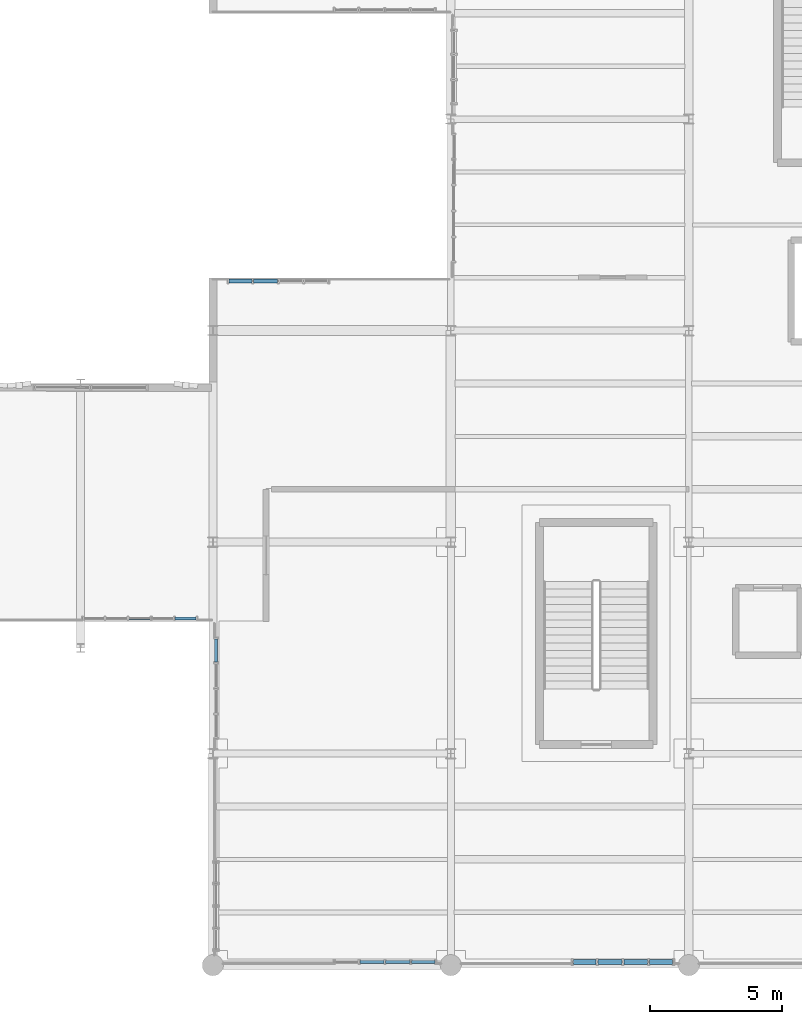
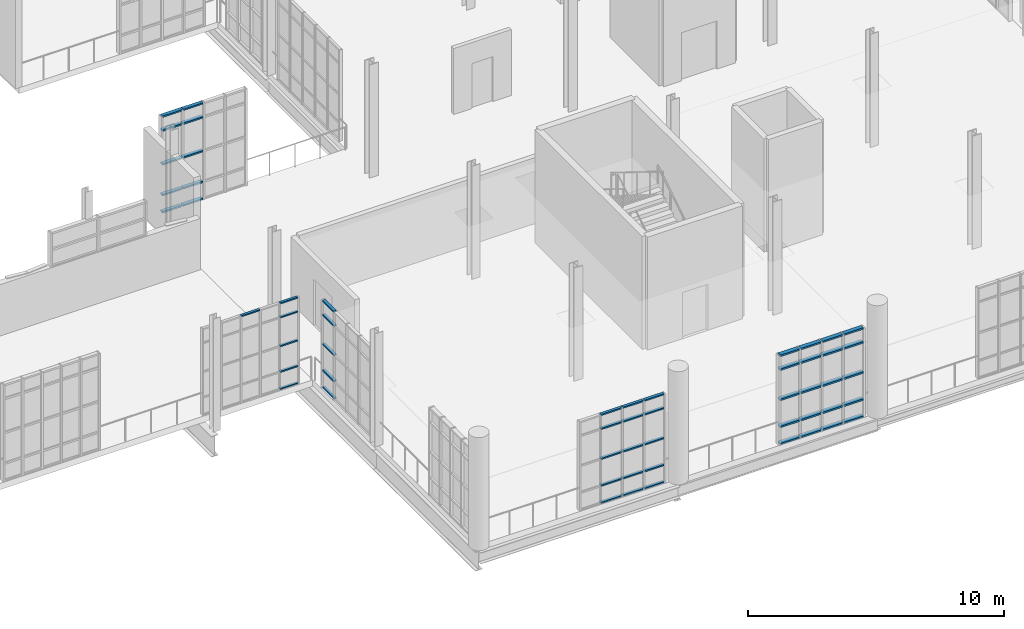
# One storey, part 89 of 142: 56 members, 5 elements without a shape of their own.
"""IFC4 building model written with IfcOpenShell, lengths in metres."""

from ifc_helpers import new_model, si_unit, direction, frame, origin, origin_2d, place, context, subcontext, project, spatial, hollow_rectangle, extrude, material, layer, layer_set, material_profile, profile_set, type_object, element, aggregate, save


model = new_model("IFC4")

# Units and contexts
model_context = context("Model", 3, precision=1e-05, world=origin(), true_north=direction((0.0, 1.0)))
body_context = subcontext(model_context, "Body", "Model", "MODEL_VIEW")
ifc_project = project(units=[si_unit("LENGTHUNIT", "METRE"), si_unit("AREAUNIT", "SQUARE_METRE"), si_unit("VOLUMEUNIT", "CUBIC_METRE"), si_unit("PLANEANGLEUNIT", "RADIAN"), si_unit("MASSUNIT", "GRAM", prefix="KILO"), si_unit("THERMODYNAMICTEMPERATUREUNIT", "KELVIN"), si_unit("POWERUNIT", "WATT")], contexts=[model_context])

# Site, building, storey
site_placement = place(None, origin())
site = spatial("IfcSite", under=ifc_project, at=site_placement, CompositionType="ELEMENT")
building_placement = place(site_placement, origin())
building = spatial("IfcBuilding", under=site, at=building_placement, Name="Zelmaris Science Centre", CompositionType="ELEMENT")
storey_placement = place(building_placement, frame((0.0, 0.0, 5.39990234375)))
storey = spatial("IfcBuildingStorey", under=building, at=storey_placement, Name="L01", CompositionType="ELEMENT", Elevation=5.39990234375)

# Curtain wall, members
ifc_material = material(Name="Anodised architectural aluminium 6063-T6", Category="aluminium")
ifc_layer_1 = layer(ifc_material, 0.219970703125, Name="Anodised architectural aluminium 6063-T6")
ifc_layer_set_1 = layer_set([ifc_layer_1], Name="Anodised architectural aluminium 6063-T6")
curtain_wall_type_1 = type_object("IfcCurtainWallType", Name="Curtain Wall CW-04", PredefinedType="USERDEFINED", material=ifc_layer_set_1)
curtain_wall_1_placement = place(storey_placement, origin())
curtain_wall_1 = element("IfcCurtainWall", 1, at=curtain_wall_1_placement, inside=storey, type_object=curtain_wall_type_1, Name="L01 Unitised curtain wall 172", ObjectType="GLAZED CURTAIN WALL", PredefinedType="USERDEFINED")
ifc_material_profile_1 = material_profile(ifc_material, hollow_rectangle(XDim=0.06005859375, YDim=0.110107421875, WallThickness=0.0029296875, at=origin_2d()), Name="ALU-TRN-60X110")
ifc_profile_set_1 = profile_set([ifc_material_profile_1], Name="Anodised architectural aluminium 6063-T6")
member_type_1 = type_object("IfcMemberType", Name="ALU-TRN-60X110", PredefinedType="USERDEFINED", material=ifc_profile_set_1)
member_1_placement = place(storey_placement, frame((107.37109375, 21.11572265625, 0.010986328125), z_axis=(-0.99999995324, 0.000305810383, 0.0), x_axis=(0.0, 0.0, 1.0)))
member_1 = element("IfcMember", 2, at=member_1_placement, type_object=member_type_1, Name="CW-04 transom 1.1", ObjectType="TRANSOM", PredefinedType="USERDEFINED", context=body_context, shape_type="SweptSolid", body=[
    extrude(hollow_rectangle(XDim=0.06005859375, YDim=0.110107421875, WallThickness=0.0029296875, at=origin_2d()), origin(), (0.0, 0.0, 1.0), 0.79833984375),
])
member_2_placement = place(storey_placement, frame((107.37109375, 21.11572265625, 0.835205078125), z_axis=(-0.99999995324, 0.000305810383, 0.0), x_axis=(0.0, 0.0, 1.0)))
member_2 = element("IfcMember", 3, at=member_2_placement, type_object=member_type_1, Name="CW-04 transom 1.2", ObjectType="TRANSOM", PredefinedType="USERDEFINED", context=body_context, shape_type="SweptSolid", body=[
    extrude(hollow_rectangle(XDim=0.06005859375, YDim=0.110107421875, WallThickness=0.0029296875, at=origin_2d()), origin(), (0.0, 0.0, 1.0), 0.79833984375),
])
member_3_placement = place(storey_placement, frame((107.37109375, 21.11572265625, 2.05908203125), z_axis=(-0.99999995324, 0.000305810383, 0.0), x_axis=(0.0, 0.0, 1.0)))
member_3 = element("IfcMember", 4, at=member_3_placement, type_object=member_type_1, Name="CW-04 transom 1.3", ObjectType="TRANSOM", PredefinedType="USERDEFINED", context=body_context, shape_type="SweptSolid", body=[
    extrude(hollow_rectangle(XDim=0.06005859375, YDim=0.110107421875, WallThickness=0.0029296875, at=origin_2d()), origin(), (0.0, 0.0, 1.0), 0.79833984375),
])
member_4_placement = place(storey_placement, frame((107.37109375, 21.11572265625, 3.43310546875), z_axis=(-0.99999995324, 0.000305810383, 0.0), x_axis=(0.0, 0.0, 1.0)))
member_4 = element("IfcMember", 5, at=member_4_placement, type_object=member_type_1, Name="CW-04 transom 1.4", ObjectType="TRANSOM", PredefinedType="USERDEFINED", context=body_context, shape_type="SweptSolid", body=[
    extrude(hollow_rectangle(XDim=0.06005859375, YDim=0.110107421875, WallThickness=0.0029296875, at=origin_2d()), origin(), (0.0, 0.0, 1.0), 0.79833984375),
])
member_5_placement = place(storey_placement, frame((107.37109375, 21.11572265625, 4.107177734375), z_axis=(-0.99999995324, 0.000305810383, 0.0), x_axis=(0.0, 0.0, 1.0)))
member_5 = element("IfcMember", 6, at=member_5_placement, type_object=member_type_1, Name="CW-04 transom 1.5", ObjectType="TRANSOM", PredefinedType="USERDEFINED", context=body_context, shape_type="SweptSolid", body=[
    extrude(hollow_rectangle(XDim=0.06005859375, YDim=0.110107421875, WallThickness=0.0029296875, at=origin_2d()), origin(), (0.0, 0.0, 1.0), 0.79833984375),
])
member_6_placement = place(storey_placement, frame((105.64453125, 21.1162109375, 4.107177734375), z_axis=(-0.99999995613, 0.000296208518, 0.0), x_axis=(0.0, 0.0, 1.0)))
member_6 = element("IfcMember", 7, at=member_6_placement, type_object=member_type_1, Name="CW-04 transom 3.5", ObjectType="TRANSOM", PredefinedType="USERDEFINED", context=body_context, shape_type="SweptSolid", body=[
    extrude(hollow_rectangle(XDim=0.06005859375, YDim=0.110107421875, WallThickness=0.0029296875, at=origin_2d()), origin(), (0.0, 0.0, 1.0), 0.82421875),
])
aggregate(curtain_wall_1, [member_1, member_2, member_3, member_4, member_5, member_6])

ifc_layer_2 = layer(ifc_material, 0.2099609375, Name="Anodised architectural aluminium 6063-T6")
ifc_layer_set_2 = layer_set([ifc_layer_2], Name="Anodised architectural aluminium 6063-T6")
curtain_wall_type_2 = type_object("IfcCurtainWallType", Name="Curtain Wall CW-03", PredefinedType="USERDEFINED", material=ifc_layer_set_2)
curtain_wall_2_placement = place(storey_placement, origin())
curtain_wall_2 = element("IfcCurtainWall", 8, at=curtain_wall_2_placement, inside=storey, type_object=curtain_wall_type_2, Name="L01 Unitised curtain wall 167", ObjectType="GLAZED CURTAIN WALL", PredefinedType="USERDEFINED")
ifc_material_profile_2 = material_profile(ifc_material, hollow_rectangle(XDim=0.06494140625, YDim=0.1298828125, WallThickness=0.00341796875, at=origin_2d()), Name="ALU-TRN-65X130")
ifc_profile_set_2 = profile_set([ifc_material_profile_2], Name="Anodised architectural aluminium 6063-T6")
member_type_2 = type_object("IfcMemberType", Name="ALU-TRN-65X130", PredefinedType="USERDEFINED", material=ifc_profile_set_2)
member_7_placement = place(storey_placement, frame((116.403076171875, 8.1201171875, 0.013671875), z_axis=(-1.0, 0.0, 0.0), x_axis=(0.0, 0.0, 1.0)))
member_7 = element("IfcMember", 9, at=member_7_placement, type_object=member_type_2, Name="CW-03 transom 1.1", ObjectType="TRANSOM", PredefinedType="USERDEFINED", context=body_context, shape_type="SweptSolid", body=[
    extrude(hollow_rectangle(XDim=0.06494140625, YDim=0.1298828125, WallThickness=0.00341796875, at=origin_2d()), origin(), (0.0, 0.0, 1.0), 0.8896484375),
])
member_8_placement = place(storey_placement, frame((116.403076171875, 8.1201171875, 0.835205078125), z_axis=(-1.0, 0.0, 0.0), x_axis=(0.0, 0.0, 1.0)))
member_8 = element("IfcMember", 10, at=member_8_placement, type_object=member_type_2, Name="CW-03 transom 1.2", ObjectType="TRANSOM", PredefinedType="USERDEFINED", context=body_context, shape_type="SweptSolid", body=[
    extrude(hollow_rectangle(XDim=0.06494140625, YDim=0.1298828125, WallThickness=0.00341796875, at=origin_2d()), origin(), (0.0, 0.0, 1.0), 0.8896484375),
])
member_9_placement = place(storey_placement, frame((116.403076171875, 8.1201171875, 2.115478515625), z_axis=(-1.0, 0.0, 0.0), x_axis=(0.0, 0.0, 1.0)))
member_9 = element("IfcMember", 11, at=member_9_placement, type_object=member_type_2, Name="CW-03 transom 1.3", ObjectType="TRANSOM", PredefinedType="USERDEFINED", context=body_context, shape_type="SweptSolid", body=[
    extrude(hollow_rectangle(XDim=0.06494140625, YDim=0.1298828125, WallThickness=0.00341796875, at=origin_2d()), origin(), (0.0, 0.0, 1.0), 0.8896484375),
])
member_10_placement = place(storey_placement, frame((116.403076171875, 8.1201171875, 3.546142578125), z_axis=(-1.0, 0.0, 0.0), x_axis=(0.0, 0.0, 1.0)))
member_10 = element("IfcMember", 12, at=member_10_placement, type_object=member_type_2, Name="CW-03 transom 1.4", ObjectType="TRANSOM", PredefinedType="USERDEFINED", context=body_context, shape_type="SweptSolid", body=[
    extrude(hollow_rectangle(XDim=0.06494140625, YDim=0.1298828125, WallThickness=0.00341796875, at=origin_2d()), origin(), (0.0, 0.0, 1.0), 0.8896484375),
])
member_11_placement = place(storey_placement, frame((116.403076171875, 8.1201171875, 4.217529296875), z_axis=(-1.0, 0.0, 0.0), x_axis=(0.0, 0.0, 1.0)))
member_11 = element("IfcMember", 13, at=member_11_placement, type_object=member_type_2, Name="CW-03 transom 1.5", ObjectType="TRANSOM", PredefinedType="USERDEFINED", context=body_context, shape_type="SweptSolid", body=[
    extrude(hollow_rectangle(XDim=0.06494140625, YDim=0.1298828125, WallThickness=0.00341796875, at=origin_2d()), origin(), (0.0, 0.0, 1.0), 0.8896484375),
])
member_12_placement = place(storey_placement, frame((115.45654296875, 8.1201171875, 0.013671875), z_axis=(-1.0, 0.0, 0.0), x_axis=(0.0, 0.0, 1.0)))
member_12 = element("IfcMember", 14, at=member_12_placement, type_object=member_type_2, Name="CW-03 transom 2.1", ObjectType="TRANSOM", PredefinedType="USERDEFINED", context=body_context, shape_type="SweptSolid", body=[
    extrude(hollow_rectangle(XDim=0.06494140625, YDim=0.1298828125, WallThickness=0.00341796875, at=origin_2d()), origin(), (0.0, 0.0, 1.0), 0.91796875),
])
member_13_placement = place(storey_placement, frame((115.45654296875, 8.1201171875, 0.835205078125), z_axis=(-1.0, 0.0, 0.0), x_axis=(0.0, 0.0, 1.0)))
member_13 = element("IfcMember", 15, at=member_13_placement, type_object=member_type_2, Name="CW-03 transom 2.2", ObjectType="TRANSOM", PredefinedType="USERDEFINED", context=body_context, shape_type="SweptSolid", body=[
    extrude(hollow_rectangle(XDim=0.06494140625, YDim=0.1298828125, WallThickness=0.00341796875, at=origin_2d()), origin(), (0.0, 0.0, 1.0), 0.91796875),
])
member_14_placement = place(storey_placement, frame((115.45654296875, 8.1201171875, 2.115478515625), z_axis=(-1.0, 0.0, 0.0), x_axis=(0.0, 0.0, 1.0)))
member_14 = element("IfcMember", 16, at=member_14_placement, type_object=member_type_2, Name="CW-03 transom 2.3", ObjectType="TRANSOM", PredefinedType="USERDEFINED", context=body_context, shape_type="SweptSolid", body=[
    extrude(hollow_rectangle(XDim=0.06494140625, YDim=0.1298828125, WallThickness=0.00341796875, at=origin_2d()), origin(), (0.0, 0.0, 1.0), 0.91796875),
])
member_15_placement = place(storey_placement, frame((115.45654296875, 8.1201171875, 3.546142578125), z_axis=(-1.0, 0.0, 0.0), x_axis=(0.0, 0.0, 1.0)))
member_15 = element("IfcMember", 17, at=member_15_placement, type_object=member_type_2, Name="CW-03 transom 2.4", ObjectType="TRANSOM", PredefinedType="USERDEFINED", context=body_context, shape_type="SweptSolid", body=[
    extrude(hollow_rectangle(XDim=0.06494140625, YDim=0.1298828125, WallThickness=0.00341796875, at=origin_2d()), origin(), (0.0, 0.0, 1.0), 0.91796875),
])
member_16_placement = place(storey_placement, frame((115.45654296875, 8.1201171875, 4.217529296875), z_axis=(-1.0, 0.0, 0.0), x_axis=(0.0, 0.0, 1.0)))
member_16 = element("IfcMember", 18, at=member_16_placement, type_object=member_type_2, Name="CW-03 transom 2.5", ObjectType="TRANSOM", PredefinedType="USERDEFINED", context=body_context, shape_type="SweptSolid", body=[
    extrude(hollow_rectangle(XDim=0.06494140625, YDim=0.1298828125, WallThickness=0.00341796875, at=origin_2d()), origin(), (0.0, 0.0, 1.0), 0.91796875),
])
member_17_placement = place(storey_placement, frame((114.4814453125, 8.1201171875, 0.013671875), z_axis=(-1.0, 0.0, 0.0), x_axis=(0.0, 0.0, 1.0)))
member_17 = element("IfcMember", 19, at=member_17_placement, type_object=member_type_2, Name="CW-03 transom 3.1", ObjectType="TRANSOM", PredefinedType="USERDEFINED", context=body_context, shape_type="SweptSolid", body=[
    extrude(hollow_rectangle(XDim=0.06494140625, YDim=0.1298828125, WallThickness=0.00341796875, at=origin_2d()), origin(), (0.0, 0.0, 1.0), 0.91796875),
])
member_18_placement = place(storey_placement, frame((114.4814453125, 8.1201171875, 0.835205078125), z_axis=(-1.0, 0.0, 0.0), x_axis=(0.0, 0.0, 1.0)))
member_18 = element("IfcMember", 20, at=member_18_placement, type_object=member_type_2, Name="CW-03 transom 3.2", ObjectType="TRANSOM", PredefinedType="USERDEFINED", context=body_context, shape_type="SweptSolid", body=[
    extrude(hollow_rectangle(XDim=0.06494140625, YDim=0.1298828125, WallThickness=0.00341796875, at=origin_2d()), origin(), (0.0, 0.0, 1.0), 0.91796875),
])
member_19_placement = place(storey_placement, frame((114.4814453125, 8.1201171875, 2.115478515625), z_axis=(-1.0, 0.0, 0.0), x_axis=(0.0, 0.0, 1.0)))
member_19 = element("IfcMember", 21, at=member_19_placement, type_object=member_type_2, Name="CW-03 transom 3.3", ObjectType="TRANSOM", PredefinedType="USERDEFINED", context=body_context, shape_type="SweptSolid", body=[
    extrude(hollow_rectangle(XDim=0.06494140625, YDim=0.1298828125, WallThickness=0.00341796875, at=origin_2d()), origin(), (0.0, 0.0, 1.0), 0.91796875),
])
member_20_placement = place(storey_placement, frame((114.4814453125, 8.1201171875, 3.546142578125), z_axis=(-1.0, 0.0, 0.0), x_axis=(0.0, 0.0, 1.0)))
member_20 = element("IfcMember", 22, at=member_20_placement, type_object=member_type_2, Name="CW-03 transom 3.4", ObjectType="TRANSOM", PredefinedType="USERDEFINED", context=body_context, shape_type="SweptSolid", body=[
    extrude(hollow_rectangle(XDim=0.06494140625, YDim=0.1298828125, WallThickness=0.00341796875, at=origin_2d()), origin(), (0.0, 0.0, 1.0), 0.91796875),
])
member_21_placement = place(storey_placement, frame((114.4814453125, 8.1201171875, 4.217529296875), z_axis=(-1.0, 0.0, 0.0), x_axis=(0.0, 0.0, 1.0)))
member_21 = element("IfcMember", 23, at=member_21_placement, type_object=member_type_2, Name="CW-03 transom 3.5", ObjectType="TRANSOM", PredefinedType="USERDEFINED", context=body_context, shape_type="SweptSolid", body=[
    extrude(hollow_rectangle(XDim=0.06494140625, YDim=0.1298828125, WallThickness=0.00341796875, at=origin_2d()), origin(), (0.0, 0.0, 1.0), 0.91796875),
])
aggregate(curtain_wall_2, [member_7, member_8, member_9, member_10, member_11, member_12, member_13, member_14, member_15, member_16, member_17, member_18, member_19, member_20, member_21])

curtain_wall_3_placement = place(storey_placement, origin())
curtain_wall_3 = element("IfcCurtainWall", 24, at=curtain_wall_3_placement, inside=storey, type_object=curtain_wall_type_2, Name="L01 Unitised curtain wall 171", ObjectType="GLAZED CURTAIN WALL", PredefinedType="USERDEFINED")
member_22_placement = place(storey_placement, frame((108.1201171875, 19.46337890625, 0.013671875), z_axis=(0.0, 1.0, 0.0), x_axis=(0.0, 0.0, 1.0)))
member_22 = element("IfcMember", 25, at=member_22_placement, type_object=member_type_2, Name="CW-03 transom 4.1", ObjectType="TRANSOM", PredefinedType="USERDEFINED", context=body_context, shape_type="SweptSolid", body=[
    extrude(hollow_rectangle(XDim=0.06494140625, YDim=0.1298828125, WallThickness=0.00341796875, at=origin_2d()), origin(), (0.0, 0.0, 1.0), 0.879638671875),
])
member_23_placement = place(storey_placement, frame((108.1201171875, 19.46337890625, 0.835205078125), z_axis=(0.0, 1.0, 0.0), x_axis=(0.0, 0.0, 1.0)))
member_23 = element("IfcMember", 26, at=member_23_placement, type_object=member_type_2, Name="CW-03 transom 4.2", ObjectType="TRANSOM", PredefinedType="USERDEFINED", context=body_context, shape_type="SweptSolid", body=[
    extrude(hollow_rectangle(XDim=0.06494140625, YDim=0.1298828125, WallThickness=0.00341796875, at=origin_2d()), origin(), (0.0, 0.0, 1.0), 0.879638671875),
])
member_24_placement = place(storey_placement, frame((108.1201171875, 19.46337890625, 2.085693359375), z_axis=(0.0, 1.0, 0.0), x_axis=(0.0, 0.0, 1.0)))
member_24 = element("IfcMember", 27, at=member_24_placement, type_object=member_type_2, Name="CW-03 transom 4.3", ObjectType="TRANSOM", PredefinedType="USERDEFINED", context=body_context, shape_type="SweptSolid", body=[
    extrude(hollow_rectangle(XDim=0.06494140625, YDim=0.1298828125, WallThickness=0.00341796875, at=origin_2d()), origin(), (0.0, 0.0, 1.0), 0.879638671875),
])
member_25_placement = place(storey_placement, frame((108.1201171875, 19.46337890625, 3.486083984375), z_axis=(0.0, 1.0, 0.0), x_axis=(0.0, 0.0, 1.0)))
member_25 = element("IfcMember", 28, at=member_25_placement, type_object=member_type_2, Name="CW-03 transom 4.4", ObjectType="TRANSOM", PredefinedType="USERDEFINED", context=body_context, shape_type="SweptSolid", body=[
    extrude(hollow_rectangle(XDim=0.06494140625, YDim=0.1298828125, WallThickness=0.00341796875, at=origin_2d()), origin(), (0.0, 0.0, 1.0), 0.879638671875),
])
member_26_placement = place(storey_placement, frame((108.1201171875, 19.46337890625, 4.15771484375), z_axis=(0.0, 1.0, 0.0), x_axis=(0.0, 0.0, 1.0)))
member_26 = element("IfcMember", 29, at=member_26_placement, type_object=member_type_2, Name="CW-03 transom 4.5", ObjectType="TRANSOM", PredefinedType="USERDEFINED", context=body_context, shape_type="SweptSolid", body=[
    extrude(hollow_rectangle(XDim=0.06494140625, YDim=0.1298828125, WallThickness=0.00341796875, at=origin_2d()), origin(), (0.0, 0.0, 1.0), 0.879638671875),
])
aggregate(curtain_wall_3, [member_22, member_23, member_24, member_25, member_26])

ifc_layer_3 = layer(ifc_material, 0.199951171875, Name="Anodised architectural aluminium 6063-T6")
ifc_layer_set_3 = layer_set([ifc_layer_3], Name="Anodised architectural aluminium 6063-T6")
curtain_wall_type_3 = type_object("IfcCurtainWallType", Name="Curtain Wall CW-02", PredefinedType="USERDEFINED", material=ifc_layer_set_3)
curtain_wall_4_placement = place(storey_placement, origin())
curtain_wall_4 = element("IfcCurtainWall", 30, at=curtain_wall_4_placement, inside=storey, type_object=curtain_wall_type_3, Name="L01 Unitised curtain wall 178", ObjectType="GLAZED CURTAIN WALL", PredefinedType="USERDEFINED")
ifc_material_profile_3 = material_profile(ifc_material, hollow_rectangle(XDim=0.074951171875, YDim=0.159912109375, WallThickness=0.00390625, at=origin_2d()), Name="ALU-TRN-75X160")
ifc_profile_set_3 = profile_set([ifc_material_profile_3], Name="Anodised architectural aluminium 6063-T6")
member_type_3 = type_object("IfcMemberType", Name="ALU-TRN-75X160", PredefinedType="USERDEFINED", material=ifc_profile_set_3)
member_27_placement = place(storey_placement, frame((108.607177734375, 33.8798828125, 0.0185546875), z_axis=(1.0, 0.0, 0.0), x_axis=(0.0, 0.0, 1.0)))
member_27 = element("IfcMember", 31, at=member_27_placement, type_object=member_type_3, Name="CW-02 transom 1.1", ObjectType="TRANSOM", PredefinedType="USERDEFINED", context=body_context, shape_type="SweptSolid", body=[
    extrude(hollow_rectangle(XDim=0.074951171875, YDim=0.159912109375, WallThickness=0.00390625, at=origin_2d()), origin(), (0.0, 0.0, 1.0), 0.866943359375),
])
member_28_placement = place(storey_placement, frame((108.607177734375, 33.8798828125, 0.835205078125), z_axis=(1.0, 0.0, 0.0), x_axis=(0.0, 0.0, 1.0)))
member_28 = element("IfcMember", 32, at=member_28_placement, type_object=member_type_3, Name="CW-02 transom 1.2", ObjectType="TRANSOM", PredefinedType="USERDEFINED", context=body_context, shape_type="SweptSolid", body=[
    extrude(hollow_rectangle(XDim=0.074951171875, YDim=0.159912109375, WallThickness=0.00390625, at=origin_2d()), origin(), (0.0, 0.0, 1.0), 0.866943359375),
])
member_29_placement = place(storey_placement, frame((108.607177734375, 33.8798828125, 2.302490234375), z_axis=(1.0, 0.0, 0.0), x_axis=(0.0, 0.0, 1.0)))
member_29 = element("IfcMember", 33, at=member_29_placement, type_object=member_type_3, Name="CW-02 transom 1.3", ObjectType="TRANSOM", PredefinedType="USERDEFINED", context=body_context, shape_type="SweptSolid", body=[
    extrude(hollow_rectangle(XDim=0.074951171875, YDim=0.159912109375, WallThickness=0.00390625, at=origin_2d()), origin(), (0.0, 0.0, 1.0), 0.866943359375),
])
member_30_placement = place(storey_placement, frame((108.607177734375, 33.8798828125, 3.920166015625), z_axis=(1.0, 0.0, 0.0), x_axis=(0.0, 0.0, 1.0)))
member_30 = element("IfcMember", 34, at=member_30_placement, type_object=member_type_3, Name="CW-02 transom 1.4", ObjectType="TRANSOM", PredefinedType="USERDEFINED", context=body_context, shape_type="SweptSolid", body=[
    extrude(hollow_rectangle(XDim=0.074951171875, YDim=0.159912109375, WallThickness=0.00390625, at=origin_2d()), origin(), (0.0, 0.0, 1.0), 0.866943359375),
])
member_31_placement = place(storey_placement, frame((108.607177734375, 33.8798828125, 4.586669921875), z_axis=(1.0, 0.0, 0.0), x_axis=(0.0, 0.0, 1.0)))
member_31 = element("IfcMember", 35, at=member_31_placement, type_object=member_type_3, Name="CW-02 transom 1.5", ObjectType="TRANSOM", PredefinedType="USERDEFINED", context=body_context, shape_type="SweptSolid", body=[
    extrude(hollow_rectangle(XDim=0.074951171875, YDim=0.159912109375, WallThickness=0.00390625, at=origin_2d()), origin(), (0.0, 0.0, 1.0), 0.866943359375),
])
member_32_placement = place(storey_placement, frame((109.541015625, 33.8798828125, 0.0185546875), z_axis=(1.0, 0.0, 0.0), x_axis=(0.0, 0.0, 1.0)))
member_32 = element("IfcMember", 36, at=member_32_placement, type_object=member_type_3, Name="CW-02 transom 2.1", ObjectType="TRANSOM", PredefinedType="USERDEFINED", context=body_context, shape_type="SweptSolid", body=[
    extrude(hollow_rectangle(XDim=0.074951171875, YDim=0.159912109375, WallThickness=0.00390625, at=origin_2d()), origin(), (0.0, 0.0, 1.0), 0.900634765625),
])
member_33_placement = place(storey_placement, frame((109.541015625, 33.8798828125, 0.835205078125), z_axis=(1.0, 0.0, 0.0), x_axis=(0.0, 0.0, 1.0)))
member_33 = element("IfcMember", 37, at=member_33_placement, type_object=member_type_3, Name="CW-02 transom 2.2", ObjectType="TRANSOM", PredefinedType="USERDEFINED", context=body_context, shape_type="SweptSolid", body=[
    extrude(hollow_rectangle(XDim=0.074951171875, YDim=0.159912109375, WallThickness=0.00390625, at=origin_2d()), origin(), (0.0, 0.0, 1.0), 0.900634765625),
])
member_34_placement = place(storey_placement, frame((109.541015625, 33.8798828125, 2.302490234375), z_axis=(1.0, 0.0, 0.0), x_axis=(0.0, 0.0, 1.0)))
member_34 = element("IfcMember", 38, at=member_34_placement, type_object=member_type_3, Name="CW-02 transom 2.3", ObjectType="TRANSOM", PredefinedType="USERDEFINED", context=body_context, shape_type="SweptSolid", body=[
    extrude(hollow_rectangle(XDim=0.074951171875, YDim=0.159912109375, WallThickness=0.00390625, at=origin_2d()), origin(), (0.0, 0.0, 1.0), 0.900634765625),
])
member_35_placement = place(storey_placement, frame((109.541015625, 33.8798828125, 3.920166015625), z_axis=(1.0, 0.0, 0.0), x_axis=(0.0, 0.0, 1.0)))
member_35 = element("IfcMember", 39, at=member_35_placement, type_object=member_type_3, Name="CW-02 transom 2.4", ObjectType="TRANSOM", PredefinedType="USERDEFINED", context=body_context, shape_type="SweptSolid", body=[
    extrude(hollow_rectangle(XDim=0.074951171875, YDim=0.159912109375, WallThickness=0.00390625, at=origin_2d()), origin(), (0.0, 0.0, 1.0), 0.900634765625),
])
member_36_placement = place(storey_placement, frame((109.541015625, 33.8798828125, 4.586669921875), z_axis=(1.0, 0.0, 0.0), x_axis=(0.0, 0.0, 1.0)))
member_36 = element("IfcMember", 40, at=member_36_placement, type_object=member_type_3, Name="CW-02 transom 2.5", ObjectType="TRANSOM", PredefinedType="USERDEFINED", context=body_context, shape_type="SweptSolid", body=[
    extrude(hollow_rectangle(XDim=0.074951171875, YDim=0.159912109375, WallThickness=0.00390625, at=origin_2d()), origin(), (0.0, 0.0, 1.0), 0.900634765625),
])
aggregate(curtain_wall_4, [member_27, member_28, member_29, member_30, member_31, member_32, member_33, member_34, member_35, member_36])

ifc_layer_4 = layer(ifc_material, 0.18994140625, Name="Anodised architectural aluminium 6063-T6")
ifc_layer_set_4 = layer_set([ifc_layer_4], Name="Anodised architectural aluminium 6063-T6")
curtain_wall_type_4 = type_object("IfcCurtainWallType", Name="Curtain Wall CW-01", PredefinedType="USERDEFINED", material=ifc_layer_set_4)
curtain_wall_5_placement = place(storey_placement, origin())
curtain_wall_5 = element("IfcCurtainWall", 41, at=curtain_wall_5_placement, inside=storey, type_object=curtain_wall_type_4, Name="L01 Unitised curtain wall 165", ObjectType="GLAZED CURTAIN WALL", PredefinedType="USERDEFINED")
ifc_material_profile_4 = material_profile(ifc_material, hollow_rectangle(XDim=0.080078125, YDim=0.18994140625, WallThickness=0.00439453125, at=origin_2d()), Name="ALU-TRN-80X190")
ifc_profile_set_4 = profile_set([ifc_material_profile_4], Name="Anodised architectural aluminium 6063-T6")
member_type_4 = type_object("IfcMemberType", Name="ALU-TRN-80X190", PredefinedType="USERDEFINED", material=ifc_profile_set_4)
member_37_placement = place(storey_placement, frame((125.387939453125, 8.1201171875, 0.02099609375), z_axis=(-1.0, 0.0, 0.0), x_axis=(0.0, 0.0, 1.0)))
member_37 = element("IfcMember", 42, at=member_37_placement, type_object=member_type_4, Name="CW-01 transom 1.1", ObjectType="TRANSOM", PredefinedType="USERDEFINED", context=body_context, shape_type="SweptSolid", body=[
    extrude(hollow_rectangle(XDim=0.080078125, YDim=0.18994140625, WallThickness=0.00439453125, at=origin_2d()), origin(), (0.0, 0.0, 1.0), 0.866943359375),
])
member_38_placement = place(storey_placement, frame((125.387939453125, 8.1201171875, 0.835205078125), z_axis=(-1.0, 0.0, 0.0), x_axis=(0.0, 0.0, 1.0)))
member_38 = element("IfcMember", 43, at=member_38_placement, type_object=member_type_4, Name="CW-01 transom 1.2", ObjectType="TRANSOM", PredefinedType="USERDEFINED", context=body_context, shape_type="SweptSolid", body=[
    extrude(hollow_rectangle(XDim=0.080078125, YDim=0.18994140625, WallThickness=0.00439453125, at=origin_2d()), origin(), (0.0, 0.0, 1.0), 0.866943359375),
])
member_39_placement = place(storey_placement, frame((125.387939453125, 8.1201171875, 2.127197265625), z_axis=(-1.0, 0.0, 0.0), x_axis=(0.0, 0.0, 1.0)))
member_39 = element("IfcMember", 44, at=member_39_placement, type_object=member_type_4, Name="CW-01 transom 1.3", ObjectType="TRANSOM", PredefinedType="USERDEFINED", context=body_context, shape_type="SweptSolid", body=[
    extrude(hollow_rectangle(XDim=0.080078125, YDim=0.18994140625, WallThickness=0.00439453125, at=origin_2d()), origin(), (0.0, 0.0, 1.0), 0.866943359375),
])
member_40_placement = place(storey_placement, frame((125.387939453125, 8.1201171875, 3.569091796875), z_axis=(-1.0, 0.0, 0.0), x_axis=(0.0, 0.0, 1.0)))
member_40 = element("IfcMember", 45, at=member_40_placement, type_object=member_type_4, Name="CW-01 transom 1.4", ObjectType="TRANSOM", PredefinedType="USERDEFINED", context=body_context, shape_type="SweptSolid", body=[
    extrude(hollow_rectangle(XDim=0.080078125, YDim=0.18994140625, WallThickness=0.00439453125, at=origin_2d()), origin(), (0.0, 0.0, 1.0), 0.866943359375),
])
member_41_placement = place(storey_placement, frame((125.387939453125, 8.1201171875, 4.233154296875), z_axis=(-1.0, 0.0, 0.0), x_axis=(0.0, 0.0, 1.0)))
member_41 = element("IfcMember", 46, at=member_41_placement, type_object=member_type_4, Name="CW-01 transom 1.5", ObjectType="TRANSOM", PredefinedType="USERDEFINED", context=body_context, shape_type="SweptSolid", body=[
    extrude(hollow_rectangle(XDim=0.080078125, YDim=0.18994140625, WallThickness=0.00439453125, at=origin_2d()), origin(), (0.0, 0.0, 1.0), 0.866943359375),
])
member_42_placement = place(storey_placement, frame((124.448974609375, 8.1201171875, 0.02099609375), z_axis=(-1.0, 0.0, 0.0), x_axis=(0.0, 0.0, 1.0)))
member_42 = element("IfcMember", 47, at=member_42_placement, type_object=member_type_4, Name="CW-01 transom 2.1", ObjectType="TRANSOM", PredefinedType="USERDEFINED", context=body_context, shape_type="SweptSolid", body=[
    extrude(hollow_rectangle(XDim=0.080078125, YDim=0.18994140625, WallThickness=0.00439453125, at=origin_2d()), origin(), (0.0, 0.0, 1.0), 0.903076171875),
])
member_43_placement = place(storey_placement, frame((124.448974609375, 8.1201171875, 0.835205078125), z_axis=(-1.0, 0.0, 0.0), x_axis=(0.0, 0.0, 1.0)))
member_43 = element("IfcMember", 48, at=member_43_placement, type_object=member_type_4, Name="CW-01 transom 2.2", ObjectType="TRANSOM", PredefinedType="USERDEFINED", context=body_context, shape_type="SweptSolid", body=[
    extrude(hollow_rectangle(XDim=0.080078125, YDim=0.18994140625, WallThickness=0.00439453125, at=origin_2d()), origin(), (0.0, 0.0, 1.0), 0.903076171875),
])
member_44_placement = place(storey_placement, frame((124.448974609375, 8.1201171875, 2.127197265625), z_axis=(-1.0, 0.0, 0.0), x_axis=(0.0, 0.0, 1.0)))
member_44 = element("IfcMember", 49, at=member_44_placement, type_object=member_type_4, Name="CW-01 transom 2.3", ObjectType="TRANSOM", PredefinedType="USERDEFINED", context=body_context, shape_type="SweptSolid", body=[
    extrude(hollow_rectangle(XDim=0.080078125, YDim=0.18994140625, WallThickness=0.00439453125, at=origin_2d()), origin(), (0.0, 0.0, 1.0), 0.903076171875),
])
member_45_placement = place(storey_placement, frame((124.448974609375, 8.1201171875, 3.569091796875), z_axis=(-1.0, 0.0, 0.0), x_axis=(0.0, 0.0, 1.0)))
member_45 = element("IfcMember", 50, at=member_45_placement, type_object=member_type_4, Name="CW-01 transom 2.4", ObjectType="TRANSOM", PredefinedType="USERDEFINED", context=body_context, shape_type="SweptSolid", body=[
    extrude(hollow_rectangle(XDim=0.080078125, YDim=0.18994140625, WallThickness=0.00439453125, at=origin_2d()), origin(), (0.0, 0.0, 1.0), 0.903076171875),
])
member_46_placement = place(storey_placement, frame((124.448974609375, 8.1201171875, 4.233154296875), z_axis=(-1.0, 0.0, 0.0), x_axis=(0.0, 0.0, 1.0)))
member_46 = element("IfcMember", 51, at=member_46_placement, type_object=member_type_4, Name="CW-01 transom 2.5", ObjectType="TRANSOM", PredefinedType="USERDEFINED", context=body_context, shape_type="SweptSolid", body=[
    extrude(hollow_rectangle(XDim=0.080078125, YDim=0.18994140625, WallThickness=0.00439453125, at=origin_2d()), origin(), (0.0, 0.0, 1.0), 0.903076171875),
])
member_47_placement = place(storey_placement, frame((123.47412109375, 8.1201171875, 0.02099609375), z_axis=(-1.0, 0.0, 0.0), x_axis=(0.0, 0.0, 1.0)))
member_47 = element("IfcMember", 52, at=member_47_placement, type_object=member_type_4, Name="CW-01 transom 3.1", ObjectType="TRANSOM", PredefinedType="USERDEFINED", context=body_context, shape_type="SweptSolid", body=[
    extrude(hollow_rectangle(XDim=0.080078125, YDim=0.18994140625, WallThickness=0.00439453125, at=origin_2d()), origin(), (0.0, 0.0, 1.0), 0.903076171875),
])
member_48_placement = place(storey_placement, frame((123.47412109375, 8.1201171875, 0.835205078125), z_axis=(-1.0, 0.0, 0.0), x_axis=(0.0, 0.0, 1.0)))
member_48 = element("IfcMember", 53, at=member_48_placement, type_object=member_type_4, Name="CW-01 transom 3.2", ObjectType="TRANSOM", PredefinedType="USERDEFINED", context=body_context, shape_type="SweptSolid", body=[
    extrude(hollow_rectangle(XDim=0.080078125, YDim=0.18994140625, WallThickness=0.00439453125, at=origin_2d()), origin(), (0.0, 0.0, 1.0), 0.903076171875),
])
member_49_placement = place(storey_placement, frame((123.47412109375, 8.1201171875, 2.127197265625), z_axis=(-1.0, 0.0, 0.0), x_axis=(0.0, 0.0, 1.0)))
member_49 = element("IfcMember", 54, at=member_49_placement, type_object=member_type_4, Name="CW-01 transom 3.3", ObjectType="TRANSOM", PredefinedType="USERDEFINED", context=body_context, shape_type="SweptSolid", body=[
    extrude(hollow_rectangle(XDim=0.080078125, YDim=0.18994140625, WallThickness=0.00439453125, at=origin_2d()), origin(), (0.0, 0.0, 1.0), 0.903076171875),
])
member_50_placement = place(storey_placement, frame((123.47412109375, 8.1201171875, 3.569091796875), z_axis=(-1.0, 0.0, 0.0), x_axis=(0.0, 0.0, 1.0)))
member_50 = element("IfcMember", 55, at=member_50_placement, type_object=member_type_4, Name="CW-01 transom 3.4", ObjectType="TRANSOM", PredefinedType="USERDEFINED", context=body_context, shape_type="SweptSolid", body=[
    extrude(hollow_rectangle(XDim=0.080078125, YDim=0.18994140625, WallThickness=0.00439453125, at=origin_2d()), origin(), (0.0, 0.0, 1.0), 0.903076171875),
])
member_51_placement = place(storey_placement, frame((123.47412109375, 8.1201171875, 4.233154296875), z_axis=(-1.0, 0.0, 0.0), x_axis=(0.0, 0.0, 1.0)))
member_51 = element("IfcMember", 56, at=member_51_placement, type_object=member_type_4, Name="CW-01 transom 3.5", ObjectType="TRANSOM", PredefinedType="USERDEFINED", context=body_context, shape_type="SweptSolid", body=[
    extrude(hollow_rectangle(XDim=0.080078125, YDim=0.18994140625, WallThickness=0.00439453125, at=origin_2d()), origin(), (0.0, 0.0, 1.0), 0.903076171875),
])
member_52_placement = place(storey_placement, frame((122.4990234375, 8.1201171875, 0.02099609375), z_axis=(-1.0, 0.0, 0.0), x_axis=(0.0, 0.0, 1.0)))
member_52 = element("IfcMember", 57, at=member_52_placement, type_object=member_type_4, Name="CW-01 transom 4.1", ObjectType="TRANSOM", PredefinedType="USERDEFINED", context=body_context, shape_type="SweptSolid", body=[
    extrude(hollow_rectangle(XDim=0.080078125, YDim=0.18994140625, WallThickness=0.00439453125, at=origin_2d()), origin(), (0.0, 0.0, 1.0), 0.866943359375),
])
member_53_placement = place(storey_placement, frame((122.4990234375, 8.1201171875, 0.835205078125), z_axis=(-1.0, 0.0, 0.0), x_axis=(0.0, 0.0, 1.0)))
member_53 = element("IfcMember", 58, at=member_53_placement, type_object=member_type_4, Name="CW-01 transom 4.2", ObjectType="TRANSOM", PredefinedType="USERDEFINED", context=body_context, shape_type="SweptSolid", body=[
    extrude(hollow_rectangle(XDim=0.080078125, YDim=0.18994140625, WallThickness=0.00439453125, at=origin_2d()), origin(), (0.0, 0.0, 1.0), 0.866943359375),
])
member_54_placement = place(storey_placement, frame((122.4990234375, 8.1201171875, 2.127197265625), z_axis=(-1.0, 0.0, 0.0), x_axis=(0.0, 0.0, 1.0)))
member_54 = element("IfcMember", 59, at=member_54_placement, type_object=member_type_4, Name="CW-01 transom 4.3", ObjectType="TRANSOM", PredefinedType="USERDEFINED", context=body_context, shape_type="SweptSolid", body=[
    extrude(hollow_rectangle(XDim=0.080078125, YDim=0.18994140625, WallThickness=0.00439453125, at=origin_2d()), origin(), (0.0, 0.0, 1.0), 0.866943359375),
])
member_55_placement = place(storey_placement, frame((122.4990234375, 8.1201171875, 3.569091796875), z_axis=(-1.0, 0.0, 0.0), x_axis=(0.0, 0.0, 1.0)))
member_55 = element("IfcMember", 60, at=member_55_placement, type_object=member_type_4, Name="CW-01 transom 4.4", ObjectType="TRANSOM", PredefinedType="USERDEFINED", context=body_context, shape_type="SweptSolid", body=[
    extrude(hollow_rectangle(XDim=0.080078125, YDim=0.18994140625, WallThickness=0.00439453125, at=origin_2d()), origin(), (0.0, 0.0, 1.0), 0.866943359375),
])
member_56_placement = place(storey_placement, frame((122.4990234375, 8.1201171875, 4.233154296875), z_axis=(-1.0, 0.0, 0.0), x_axis=(0.0, 0.0, 1.0)))
member_56 = element("IfcMember", 61, at=member_56_placement, type_object=member_type_4, Name="CW-01 transom 4.5", ObjectType="TRANSOM", PredefinedType="USERDEFINED", context=body_context, shape_type="SweptSolid", body=[
    extrude(hollow_rectangle(XDim=0.080078125, YDim=0.18994140625, WallThickness=0.00439453125, at=origin_2d()), origin(), (0.0, 0.0, 1.0), 0.866943359375),
])
aggregate(curtain_wall_5, [member_37, member_38, member_39, member_40, member_41, member_42, member_43, member_44, member_45, member_46, member_47, member_48, member_49, member_50, member_51, member_52, member_53, member_54, member_55, member_56])

save(model, "model.ifc")
